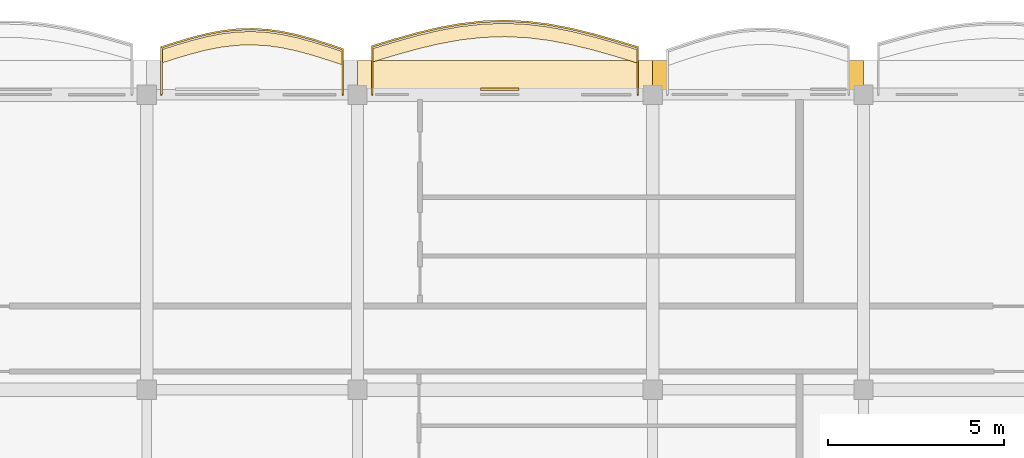
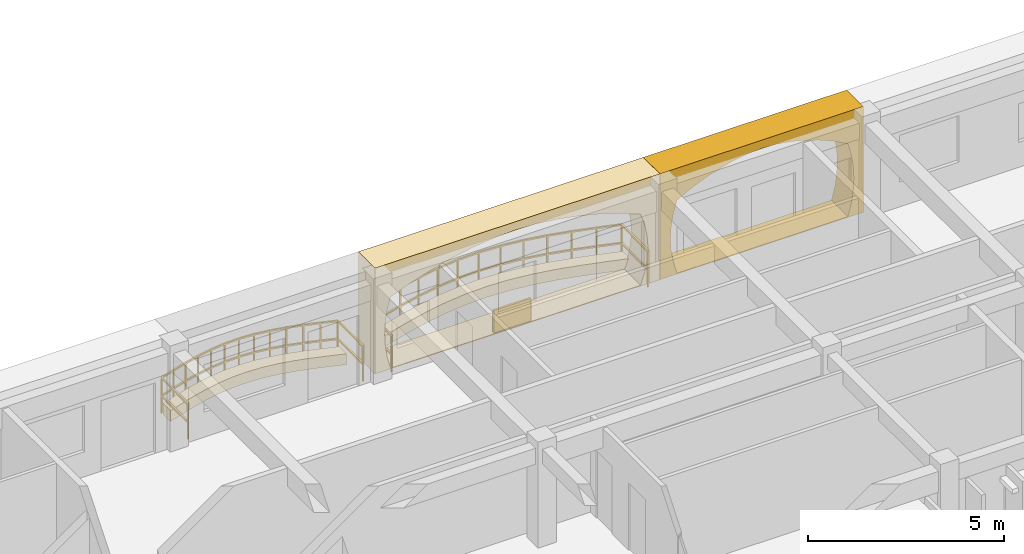
# One storey, part 49 of 54: 5 coverings, 2 railings.
"""IFC4 building model written with IfcOpenShell, lengths in metres."""

from ifc_helpers import new_model, si_unit, direction, frame, origin, origin_2d, place, context, subcontext, project, spatial, polyline, rectangle, outline, extrude, material, layer, layer_set, type_object, element, save


model = new_model("IFC4")

# Units and contexts
model_context = context("Model", 3, precision=1e-05, world=origin(), true_north=direction((0.0, 1.0)))
body_context = subcontext(model_context, "Body", "Model", "MODEL_VIEW")
ifc_project = project(units=[si_unit("LENGTHUNIT", "METRE"), si_unit("AREAUNIT", "SQUARE_METRE"), si_unit("VOLUMEUNIT", "CUBIC_METRE"), si_unit("PLANEANGLEUNIT", "RADIAN"), si_unit("MASSUNIT", "GRAM", prefix="KILO"), si_unit("THERMODYNAMICTEMPERATUREUNIT", "KELVIN")], contexts=[model_context])

# Site, building, storey
site_placement = place(None, origin())
site = spatial("IfcSite", under=ifc_project, at=site_placement, CompositionType="ELEMENT")
building_placement = place(site_placement, origin())
building = spatial("IfcBuilding", under=site, at=building_placement, Name="Thalorik Housing Commons", CompositionType="ELEMENT")
storey_placement = place(building_placement, frame((0.0, 0.0, 31.199951171875)))
storey = spatial("IfcBuildingStorey", under=building, at=storey_placement, Name="L09", CompositionType="ELEMENT", Elevation=31.199951171875)

# Coverings
ifc_material_1 = material(Name="Cobalt blue glazed ceramic facade tile panel", Category="masonry")
ifc_layer_1 = layer(ifc_material_1, 0.06005859375, Name="Cobalt blue glazed ceramic facade tile panel", Category="masonry")
ifc_layer_set_1 = layer_set([ifc_layer_1], Name="Cobalt blue glazed ceramic facade tile panel")
covering_type_1 = type_object("IfcCoveringType", Name="ARC-CLD-BLU-60", PredefinedType="CLADDING", material=ifc_layer_set_1)
covering_1_placement = place(storey_placement, frame((119.25341796875, 123.75244140625, 0.05029296875), z_axis=(0.0, 0.0, 1.0), x_axis=(-1.0, 0.0, 0.0)))
element("IfcCovering", 1, at=covering_1_placement, inside=storey, type_object=covering_type_1, Name="L09 De Stijl Recessed Window Spandrel 2901", PredefinedType="CLADDING", context=body_context, shape_type="SweptSolid", body=[
    extrude(rectangle(XDim=1.10009765625, YDim=0.06005859375, at=origin_2d()), origin(), (0.0, 0.0, 1.0), 0.699951171875),
])
ifc_material_2 = material(Name="Precast concrete C40/50", Category="concrete")
ifc_layer_2 = layer(ifc_material_2, 0.85009765625, Name="Precast concrete C40/50", Category="concrete")
ifc_layer_set_2 = layer_set([ifc_layer_2], Name="Precast concrete C40/50")
covering_type_2 = type_object("IfcCoveringType", Name="ARC-CLD-CUSH-850", PredefinedType="CLADDING", material=ifc_layer_set_2)
covering_2_placement = place(storey_placement, frame((126.60009765625, 124.142578125, 0.0), z_axis=(0.0, 0.0, 1.0), x_axis=(-1.0, 0.0, 0.0)))
element("IfcCovering", 2, at=covering_2_placement, inside=storey, type_object=covering_type_2, Name="L09 White Precast Curved Cushion Bay Frame 2898", PredefinedType="CLADDING", context=body_context, shape_type="SweptSolid", body=[
    extrude(outline(polyline([(-3.0, 0.0), (3.0, 0.0), (3.0, 3.300048828125), (-3.0, 3.300048828125), (-3.0, 0.0)]), holes=[polyline([(2.4951171875, 0.02490234375), (2.6015625, 0.404296875), (2.66552734375, 0.783203125), (2.68701171875, 1.16259765625), (2.66552734375, 1.541748046875), (2.6015625, 1.9208984375), (2.4951171875, 2.300048828125), (2.074951171875, 2.525390625), (1.655029296875, 2.7021484375), (1.235107421875, 2.845458984375), (0.81494140625, 2.951904296875), (0.39501953125, 3.017822265625), (-0.02490234375, 3.0400390625), (-0.445068359375, 3.017822265625), (-0.864990234375, 2.951904296875), (-1.284912109375, 2.845458984375), (-1.705078125, 2.7021484375), (-2.125, 2.525390625), (-2.544921875, 2.300048828125), (-2.64111328125, 1.9208984375), (-2.69873046875, 1.541748046875), (-2.718017578125, 1.16259765625), (-2.69873046875, 0.783203125), (-2.64111328125, 0.404296875), (-2.544921875, 0.02490234375), (2.4951171875, 0.02490234375)])]), frame((0.0, 0.425048828125, 0.0), z_axis=(0.0, -1.0, 0.0), x_axis=(1.0, 0.0, 0.0)), (0.0, 0.0, 1.0), 0.85009765625),
])
covering_3_placement = place(storey_placement, frame((119.39990234375, 124.142578125, 0.0), z_axis=(0.0, 0.0, 1.0), x_axis=(-1.0, 0.0, 0.0)))
element("IfcCovering", 3, at=covering_3_placement, inside=storey, type_object=covering_type_2, Name="L09 White Precast Curved Cushion Bay Frame 2900", PredefinedType="CLADDING", context=body_context, shape_type="SweptSolid", body=[
    extrude(outline(polyline([(-4.199951171875, 0.0), (4.199951171875, 0.0), (4.199951171875, 3.300048828125), (-4.199951171875, 3.300048828125), (-4.199951171875, 0.0)]), holes=[polyline([(3.74169921875, 0.02490234375), (3.83837890625, 0.394287109375), (3.896484375, 0.76318359375), (3.915771484375, 1.132568359375), (3.896484375, 1.501708984375), (3.83837890625, 1.870849609375), (3.74169921875, 2.239990234375), (3.127197265625, 2.4833984375), (2.512939453125, 2.6748046875), (1.898681640625, 2.82958984375), (1.284423828125, 2.94482421875), (0.670166015625, 3.01611328125), (0.055908203125, 3.0400390625), (-0.55859375, 3.01611328125), (-1.1728515625, 2.94482421875), (-1.787109375, 2.82958984375), (-2.4013671875, 2.6748046875), (-3.015625, 2.4833984375), (-3.6298828125, 2.239990234375), (-3.750244140625, 1.870849609375), (-3.822509765625, 1.501708984375), (-3.8466796875, 1.132568359375), (-3.822509765625, 0.76318359375), (-3.750244140625, 0.394287109375), (-3.6298828125, 0.02490234375), (3.74169921875, 0.02490234375)])]), frame((0.0, 0.425048828125, 0.0), z_axis=(0.0, -1.0, 0.0), x_axis=(1.0, 0.0, 0.0)), (0.0, 0.0, 1.0), 0.85009765625),
])
ifc_material_3 = material(Name="Planted vegetated substrate and terracotta trough", Category="masonry")
ifc_layer_3 = layer(ifc_material_3, 0.340087890625, Name="Planted vegetated substrate and terracotta trough", Category="masonry")
ifc_layer_set_3 = layer_set([ifc_layer_3], Name="Planted vegetated substrate and terracotta trough")
covering_type_3 = type_object("IfcCoveringType", Name="ARC-COV-PLANTER", PredefinedType="USERDEFINED", material=ifc_layer_set_3)
covering_4_placement = place(storey_placement, origin())
element("IfcCovering", 4, at=covering_4_placement, inside=storey, type_object=covering_type_3, Name="L09 Balcony Slab-Edge Planted Trough 5530", ObjectType="PLANTER", PredefinedType="USERDEFINED", context=body_context, shape_type="SweptSolid", body=[
    extrude(outline(polyline([(114.780029296875, 124.82177734375), (114.35009765625, 124.964599609375), (113.919921875, 125.099853515625), (113.489990234375, 125.218017578125), (113.06005859375, 125.310791015625), (112.6298828125, 125.37158203125), (112.199951171875, 125.39599609375), (111.77001953125, 125.383056640625), (111.340087890625, 125.333251953125), (110.909912109375, 125.2509765625), (110.47998046875, 125.141845703125), (110.050048828125, 125.014404296875), (109.6201171875, 124.877197265625), (109.6201171875, 124.497314453125), (110.050048828125, 124.63427734375), (110.47998046875, 124.761962890625), (110.909912109375, 124.87109375), (111.340087890625, 124.953369140625), (111.77001953125, 125.0029296875), (112.199951171875, 125.01611328125), (112.6298828125, 124.991455078125), (113.06005859375, 124.930908203125), (113.489990234375, 124.838134765625), (113.919921875, 124.719970703125), (114.35009765625, 124.584716796875), (114.780029296875, 124.441650390625), (114.780029296875, 124.82177734375)])), origin(), (0.0, 0.0, 1.0), 0.340087890625),
])
covering_5_placement = place(storey_placement, origin())
element("IfcCovering", 5, at=covering_5_placement, inside=storey, type_object=covering_type_3, Name="L09 Balcony Slab-Edge Planted Trough 5531", ObjectType="PLANTER", PredefinedType="USERDEFINED", context=body_context, shape_type="SweptSolid", body=[
    extrude(outline(polyline([(123.179931640625, 124.874267578125), (122.550048828125, 125.065185546875), (121.919921875, 125.24462890625), (121.2900390625, 125.400390625), (120.659912109375, 125.521484375), (120.030029296875, 125.599609375), (119.39990234375, 125.62890625), (118.77001953125, 125.60791015625), (118.139892578125, 125.53759765625), (117.510009765625, 125.423095703125), (116.8798828125, 125.2724609375), (116.25, 125.095703125), (115.6201171875, 124.9052734375), (115.6201171875, 124.525146484375), (116.25, 124.715576171875), (116.8798828125, 124.892333984375), (117.510009765625, 125.043212890625), (118.139892578125, 125.15771484375), (118.77001953125, 125.227783203125), (119.39990234375, 125.2490234375), (120.030029296875, 125.219482421875), (120.659912109375, 125.1416015625), (121.2900390625, 125.0205078125), (121.919921875, 124.86474609375), (122.550048828125, 124.685302734375), (123.179931640625, 124.494384765625), (123.179931640625, 124.874267578125)])), origin(), (0.0, 0.0, 1.0), 0.340087890625),
])

# Railings
ifc_material_4 = material(Name="Steel S355", Category="steel")
railing_type_1 = type_object("IfcRailingType", Name="ARC-RL-BAL-112", PredefinedType="BALUSTRADE", material=ifc_material_4)
railing_1_placement = place(storey_placement, frame((114.780029296875, 123.60009765625, 0.0)))
element("IfcRailing", 6, at=railing_1_placement, inside=storey, type_object=railing_type_1, Name="L09 Cushion Balcony Guardrail 214", PredefinedType="BALUSTRADE", context=body_context, shape_type="SweptSolid", body=[
    extrude(rectangle(XDim=0.050048828125, YDim=0.050048828125, at=origin_2d()), frame((0.0, 0.0, 1.09521484375), z_axis=(0.0, 1.0, 0.0), x_axis=(-1.0, 0.0, 0.0)), (0.0, 0.0, 1.0), 1.29150390625),
    extrude(rectangle(XDim=0.050048828125, YDim=0.050048828125, at=origin_2d()), frame((0.0, 0.0, 0.53515625), z_axis=(0.0, 1.0, 0.0), x_axis=(-1.0, 0.0, 0.0)), (0.0, 0.0, 1.0), 1.29150390625),
    extrude(rectangle(XDim=0.050048828125, YDim=0.050048828125, at=origin_2d()), frame((0.0, 1.29150390625, 1.09521484375), z_axis=(-0.948844817182, 0.315742795496, 0.0), x_axis=(-0.315742795496, -0.948844817182, 0.0)), (0.0, 0.0, 1.0), 0.453125),
    extrude(rectangle(XDim=0.050048828125, YDim=0.050048828125, at=origin_2d()), frame((0.0, 1.29150390625, 0.53515625), z_axis=(-0.948844817182, 0.315742795496, 0.0), x_axis=(-0.315742795496, -0.948844817182, 0.0)), (0.0, 0.0, 1.0), 0.453125),
    extrude(rectangle(XDim=0.050048828125, YDim=0.050048828125, at=origin_2d()), frame((-0.429931640625, 1.4345703125, 1.09521484375), z_axis=(-0.953958313689, 0.299939220082, 0.0), x_axis=(-0.299939220082, -0.953958313689, 0.0)), (0.0, 0.0, 1.0), 0.450927734375),
    extrude(rectangle(XDim=0.050048828125, YDim=0.050048828125, at=origin_2d()), frame((-0.429931640625, 1.4345703125, 0.53515625), z_axis=(-0.953958313689, 0.299939220082, 0.0), x_axis=(-0.299939220082, -0.953958313689, 0.0)), (0.0, 0.0, 1.0), 0.450927734375),
    extrude(rectangle(XDim=0.050048828125, YDim=0.050048828125, at=origin_2d()), frame((-0.860107421875, 1.56982421875, 1.09521484375), z_axis=(-0.964243880098, 0.265016489476, 0.0), x_axis=(-0.265016489476, -0.964243880098, 0.0)), (0.0, 0.0, 1.0), 0.44580078125),
    extrude(rectangle(XDim=0.050048828125, YDim=0.050048828125, at=origin_2d()), frame((-0.860107421875, 1.56982421875, 0.53515625), z_axis=(-0.964243880098, 0.265016489476, 0.0), x_axis=(-0.265016489476, -0.964243880098, 0.0)), (0.0, 0.0, 1.0), 0.44580078125),
    extrude(rectangle(XDim=0.050048828125, YDim=0.050048828125, at=origin_2d()), frame((-1.2900390625, 1.68798828125, 1.09521484375), z_axis=(-0.977500851063, 0.210931472688, 0.0), x_axis=(-0.210931472688, -0.977500851063, 0.0)), (0.0, 0.0, 1.0), 0.43994140625),
    extrude(rectangle(XDim=0.050048828125, YDim=0.050048828125, at=origin_2d()), frame((-1.2900390625, 1.68798828125, 0.53515625), z_axis=(-0.977500851063, 0.210931472688, 0.0), x_axis=(-0.210931472688, -0.977500851063, 0.0)), (0.0, 0.0, 1.0), 0.43994140625),
    extrude(rectangle(XDim=0.050048828125, YDim=0.050048828125, at=origin_2d()), frame((-1.719970703125, 1.78076171875, 1.09521484375), z_axis=(-0.990239618738, 0.139375383341, 0.0), x_axis=(-0.139375383341, -0.990239618738, 0.0)), (0.0, 0.0, 1.0), 0.434326171875),
    extrude(rectangle(XDim=0.050048828125, YDim=0.050048828125, at=origin_2d()), frame((-1.719970703125, 1.78076171875, 0.53515625), z_axis=(-0.990239618738, 0.139375383341, 0.0), x_axis=(-0.139375383341, -0.990239618738, 0.0)), (0.0, 0.0, 1.0), 0.434326171875),
    extrude(rectangle(XDim=0.050048828125, YDim=0.050048828125, at=origin_2d()), frame((-2.150146484375, 1.84130859375, 1.09521484375), z_axis=(-0.998359318778, 0.057259677, 0.0), x_axis=(-0.057259677, -0.998359318778, 0.0)), (0.0, 0.0, 1.0), 0.4306640625),
    extrude(rectangle(XDim=0.050048828125, YDim=0.050048828125, at=origin_2d()), frame((-2.150146484375, 1.84130859375, 0.53515625), z_axis=(-0.998359318778, 0.057259677, 0.0), x_axis=(-0.057259677, -0.998359318778, 0.0)), (0.0, 0.0, 1.0), 0.4306640625),
    extrude(rectangle(XDim=0.050048828125, YDim=0.050048828125, at=origin_2d()), frame((-2.580078125, 1.865966796875, 1.09521484375), z_axis=(-0.999530178738, -0.030649988445, 0.0), x_axis=(0.030649988445, -0.999530178738, 0.0)), (0.0, 0.0, 1.0), 0.43017578125),
    extrude(rectangle(XDim=0.050048828125, YDim=0.050048828125, at=origin_2d()), frame((-2.580078125, 1.865966796875, 0.53515625), z_axis=(-0.999530178738, -0.030649988445, 0.0), x_axis=(0.030649988445, -0.999530178738, 0.0)), (0.0, 0.0, 1.0), 0.43017578125),
    extrude(rectangle(XDim=0.050048828125, YDim=0.050048828125, at=origin_2d()), frame((-3.010009765625, 1.852783203125, 1.09521484375), z_axis=(-0.993421283169, -0.114517047407, 0.0), x_axis=(0.114517047407, -0.993421283169, 0.0)), (0.0, 0.0, 1.0), 0.432861328125),
    extrude(rectangle(XDim=0.050048828125, YDim=0.050048828125, at=origin_2d()), frame((-3.010009765625, 1.852783203125, 0.53515625), z_axis=(-0.993421283169, -0.114517047407, 0.0), x_axis=(0.114517047407, -0.993421283169, 0.0)), (0.0, 0.0, 1.0), 0.432861328125),
    extrude(rectangle(XDim=0.050048828125, YDim=0.050048828125, at=origin_2d()), frame((-3.43994140625, 1.80322265625, 1.09521484375), z_axis=(-0.98219679274, -0.187854891688, 0.0), x_axis=(0.187854891688, -0.98219679274, 0.0)), (0.0, 0.0, 1.0), 0.43798828125),
    extrude(rectangle(XDim=0.050048828125, YDim=0.050048828125, at=origin_2d()), frame((-3.43994140625, 1.80322265625, 0.53515625), z_axis=(-0.98219679274, -0.187854891688, 0.0), x_axis=(0.187854891688, -0.98219679274, 0.0)), (0.0, 0.0, 1.0), 0.43798828125),
    extrude(rectangle(XDim=0.050048828125, YDim=0.050048828125, at=origin_2d()), frame((-3.8701171875, 1.720947265625, 1.09521484375), z_axis=(-0.969262026984, -0.246030735981, 0.0), x_axis=(0.246030735981, -0.969262026984, 0.0)), (0.0, 0.0, 1.0), 0.443603515625),
    extrude(rectangle(XDim=0.050048828125, YDim=0.050048828125, at=origin_2d()), frame((-3.8701171875, 1.720947265625, 0.53515625), z_axis=(-0.969262026984, -0.246030735981, 0.0), x_axis=(0.246030735981, -0.969262026984, 0.0)), (0.0, 0.0, 1.0), 0.443603515625),
    extrude(rectangle(XDim=0.050048828125, YDim=0.050048828125, at=origin_2d()), frame((-4.300048828125, 1.61181640625, 1.09521484375), z_axis=(-0.958616693349, -0.284699903817, 0.0), x_axis=(0.284699903817, -0.958616693349, 0.0)), (0.0, 0.0, 1.0), 0.448486328125),
    extrude(rectangle(XDim=0.050048828125, YDim=0.050048828125, at=origin_2d()), frame((-4.300048828125, 1.61181640625, 0.53515625), z_axis=(-0.958616693349, -0.284699903817, 0.0), x_axis=(0.284699903817, -0.958616693349, 0.0)), (0.0, 0.0, 1.0), 0.448486328125),
    extrude(rectangle(XDim=0.050048828125, YDim=0.050048828125, at=origin_2d()), frame((-4.72998046875, 1.484130859375, 1.09521484375), z_axis=(-0.952819131931, -0.30353863317, 0.0), x_axis=(0.30353863317, -0.952819131931, 0.0)), (0.0, 0.0, 1.0), 0.451171875),
    extrude(rectangle(XDim=0.050048828125, YDim=0.050048828125, at=origin_2d()), frame((-4.72998046875, 1.484130859375, 0.53515625), z_axis=(-0.952819131931, -0.30353863317, 0.0), x_axis=(0.30353863317, -0.952819131931, 0.0)), (0.0, 0.0, 1.0), 0.451171875),
    extrude(rectangle(XDim=0.050048828125, YDim=0.050048828125, at=origin_2d()), frame((-5.159912109375, 1.34716796875, 1.09521484375), z_axis=(0.0, -1.0, 0.0), x_axis=(1.0, 0.0, 0.0)), (0.0, 0.0, 1.0), 1.34716796875),
    extrude(rectangle(XDim=0.050048828125, YDim=0.050048828125, at=origin_2d()), frame((-5.159912109375, 1.34716796875, 0.53515625), z_axis=(0.0, -1.0, 0.0), x_axis=(1.0, 0.0, 0.0)), (0.0, 0.0, 1.0), 1.34716796875),
    extrude(rectangle(XDim=0.0419921875, YDim=0.0419921875, at=origin_2d()), origin(), (0.0, 0.0, 1.0), 1.070068359375),
    extrude(rectangle(XDim=0.0419921875, YDim=0.0419921875, at=origin_2d()), frame((0.0, 1.29150390625, 0.0)), (0.0, 0.0, 1.0), 1.070068359375),
    extrude(rectangle(XDim=0.0419921875, YDim=0.0419921875, at=origin_2d()), frame((-0.429931640625, 1.4345703125, 0.0)), (0.0, 0.0, 1.0), 1.070068359375),
    extrude(rectangle(XDim=0.0419921875, YDim=0.0419921875, at=origin_2d()), frame((-0.860107421875, 1.56982421875, 0.0)), (0.0, 0.0, 1.0), 1.070068359375),
    extrude(rectangle(XDim=0.0419921875, YDim=0.0419921875, at=origin_2d()), frame((-1.2900390625, 1.68798828125, 0.0)), (0.0, 0.0, 1.0), 1.070068359375),
    extrude(rectangle(XDim=0.0419921875, YDim=0.0419921875, at=origin_2d()), frame((-1.719970703125, 1.78076171875, 0.0)), (0.0, 0.0, 1.0), 1.070068359375),
    extrude(rectangle(XDim=0.0419921875, YDim=0.0419921875, at=origin_2d()), frame((-2.150146484375, 1.84130859375, 0.0)), (0.0, 0.0, 1.0), 1.070068359375),
    extrude(rectangle(XDim=0.0419921875, YDim=0.0419921875, at=origin_2d()), frame((-2.580078125, 1.865966796875, 0.0)), (0.0, 0.0, 1.0), 1.070068359375),
    extrude(rectangle(XDim=0.0419921875, YDim=0.0419921875, at=origin_2d()), frame((-3.010009765625, 1.852783203125, 0.0)), (0.0, 0.0, 1.0), 1.070068359375),
    extrude(rectangle(XDim=0.0419921875, YDim=0.0419921875, at=origin_2d()), frame((-3.43994140625, 1.80322265625, 0.0)), (0.0, 0.0, 1.0), 1.070068359375),
    extrude(rectangle(XDim=0.0419921875, YDim=0.0419921875, at=origin_2d()), frame((-3.8701171875, 1.720947265625, 0.0)), (0.0, 0.0, 1.0), 1.070068359375),
    extrude(rectangle(XDim=0.0419921875, YDim=0.0419921875, at=origin_2d()), frame((-4.300048828125, 1.61181640625, 0.0)), (0.0, 0.0, 1.0), 1.070068359375),
    extrude(rectangle(XDim=0.0419921875, YDim=0.0419921875, at=origin_2d()), frame((-4.72998046875, 1.484130859375, 0.0)), (0.0, 0.0, 1.0), 1.070068359375),
    extrude(rectangle(XDim=0.0419921875, YDim=0.0419921875, at=origin_2d()), frame((-5.159912109375, 1.34716796875, 0.0)), (0.0, 0.0, 1.0), 1.070068359375),
    extrude(rectangle(XDim=0.0419921875, YDim=0.0419921875, at=origin_2d()), frame((-5.159912109375, 0.0, 0.0)), (0.0, 0.0, 1.0), 1.070068359375),
])
railing_type_2 = type_object("IfcRailingType", Name="ARC-RL-BAL-115", PredefinedType="BALUSTRADE", material=ifc_material_4)
railing_2_placement = place(storey_placement, frame((123.179931640625, 123.60009765625, 0.0)))
element("IfcRailing", 7, at=railing_2_placement, inside=storey, type_object=railing_type_2, Name="L09 Cushion Balcony Guardrail 215", PredefinedType="BALUSTRADE", context=body_context, shape_type="SweptSolid", body=[
    extrude(rectangle(XDim=0.050048828125, YDim=0.050048828125, at=origin_2d()), frame((0.0, 0.0, 1.125), z_axis=(0.0, 1.0, 0.0), x_axis=(-1.0, 0.0, 0.0)), (0.0, 0.0, 1.0), 1.34423828125),
    extrude(rectangle(XDim=0.050048828125, YDim=0.050048828125, at=origin_2d()), frame((0.0, 0.0, 0.5498046875), z_axis=(0.0, 1.0, 0.0), x_axis=(-1.0, 0.0, 0.0)), (0.0, 0.0, 1.0), 1.34423828125),
    extrude(rectangle(XDim=0.050048828125, YDim=0.050048828125, at=origin_2d()), frame((0.0, 1.34423828125, 1.125), z_axis=(-0.957005684235, 0.290069164756, 0.0), x_axis=(-0.290069164756, -0.957005684235, 0.0)), (0.0, 0.0, 1.0), 0.658203125),
    extrude(rectangle(XDim=0.050048828125, YDim=0.050048828125, at=origin_2d()), frame((0.0, 1.34423828125, 0.5498046875), z_axis=(-0.957005684235, 0.290069164756, 0.0), x_axis=(-0.290069164756, -0.957005684235, 0.0)), (0.0, 0.0, 1.0), 0.658203125),
    extrude(rectangle(XDim=0.050048828125, YDim=0.050048828125, at=origin_2d()), frame((-0.6298828125, 1.53515625, 1.125), z_axis=(-0.961762630436, 0.273884360081, 0.0), x_axis=(-0.273884360081, -0.961762630436, 0.0)), (0.0, 0.0, 1.0), 0.6552734375),
    extrude(rectangle(XDim=0.050048828125, YDim=0.050048828125, at=origin_2d()), frame((-0.6298828125, 1.53515625, 0.5498046875), z_axis=(-0.961762630436, 0.273884360081, 0.0), x_axis=(-0.273884360081, -0.961762630436, 0.0)), (0.0, 0.0, 1.0), 0.6552734375),
    extrude(rectangle(XDim=0.050048828125, YDim=0.050048828125, at=origin_2d()), frame((-1.260009765625, 1.714599609375, 1.125), z_axis=(-0.970759060708, 0.240055922764, 0.0), x_axis=(-0.240055922764, -0.970759060708, 0.0)), (0.0, 0.0, 1.0), 0.64892578125),
    extrude(rectangle(XDim=0.050048828125, YDim=0.050048828125, at=origin_2d()), frame((-1.260009765625, 1.714599609375, 0.5498046875), z_axis=(-0.970759060708, 0.240055922764, 0.0), x_axis=(-0.240055922764, -0.970759060708, 0.0)), (0.0, 0.0, 1.0), 0.64892578125),
    extrude(rectangle(XDim=0.050048828125, YDim=0.050048828125, at=origin_2d()), frame((-1.889892578125, 1.870361328125, 1.125), z_axis=(-0.982030863602, 0.188720382932, 0.0), x_axis=(-0.188720382932, -0.982030863602, 0.0)), (0.0, 0.0, 1.0), 0.6416015625),
    extrude(rectangle(XDim=0.050048828125, YDim=0.050048828125, at=origin_2d()), frame((-1.889892578125, 1.870361328125, 0.5498046875), z_axis=(-0.982030863602, 0.188720382932, 0.0), x_axis=(-0.188720382932, -0.982030863602, 0.0)), (0.0, 0.0, 1.0), 0.6416015625),
    extrude(rectangle(XDim=0.050048828125, YDim=0.050048828125, at=origin_2d()), frame((-2.52001953125, 1.991455078125, 1.125), z_axis=(-0.99244269425, 0.122708999793, 0.0), x_axis=(-0.122708999793, -0.99244269425, 0.0)), (0.0, 0.0, 1.0), 0.634765625),
    extrude(rectangle(XDim=0.050048828125, YDim=0.050048828125, at=origin_2d()), frame((-2.52001953125, 1.991455078125, 0.5498046875), z_axis=(-0.99244269425, 0.122708999793, 0.0), x_axis=(-0.122708999793, -0.99244269425, 0.0)), (0.0, 0.0, 1.0), 0.634765625),
    extrude(rectangle(XDim=0.050048828125, YDim=0.050048828125, at=origin_2d()), frame((-3.14990234375, 2.0693359375, 1.125), z_axis=(-0.99890289151, 0.046829620253, 0.0), x_axis=(-0.046829620253, -0.99890289151, 0.0)), (0.0, 0.0, 1.0), 0.630859375),
    extrude(rectangle(XDim=0.050048828125, YDim=0.050048828125, at=origin_2d()), frame((-3.14990234375, 2.0693359375, 0.5498046875), z_axis=(-0.99890289151, 0.046829620253, 0.0), x_axis=(-0.046829620253, -0.99890289151, 0.0)), (0.0, 0.0, 1.0), 0.630859375),
    extrude(rectangle(XDim=0.050048828125, YDim=0.050048828125, at=origin_2d()), frame((-3.780029296875, 2.098876953125, 1.125), z_axis=(-0.999444906979, -0.033314830233, 0.0), x_axis=(0.033314830233, -0.999444906979, 0.0)), (0.0, 0.0, 1.0), 0.630126953125),
    extrude(rectangle(XDim=0.050048828125, YDim=0.050048828125, at=origin_2d()), frame((-3.780029296875, 2.098876953125, 0.5498046875), z_axis=(-0.999444906979, -0.033314830233, 0.0), x_axis=(0.033314830233, -0.999444906979, 0.0)), (0.0, 0.0, 1.0), 0.630126953125),
    extrude(rectangle(XDim=0.050048828125, YDim=0.050048828125, at=origin_2d()), frame((-4.409912109375, 2.077880859375, 1.125), z_axis=(-0.993831971969, -0.110896399817, 0.0), x_axis=(0.110896399817, -0.993831971969, 0.0)), (0.0, 0.0, 1.0), 0.634033203125),
    extrude(rectangle(XDim=0.050048828125, YDim=0.050048828125, at=origin_2d()), frame((-4.409912109375, 2.077880859375, 0.5498046875), z_axis=(-0.993831971969, -0.110896399817, 0.0), x_axis=(0.110896399817, -0.993831971969, 0.0)), (0.0, 0.0, 1.0), 0.634033203125),
    extrude(rectangle(XDim=0.050048828125, YDim=0.050048828125, at=origin_2d()), frame((-5.0400390625, 2.007568359375, 1.125), z_axis=(-0.983876011084, -0.178851879534, 0.0), x_axis=(0.178851879534, -0.983876011084, 0.0)), (0.0, 0.0, 1.0), 0.64013671875),
    extrude(rectangle(XDim=0.050048828125, YDim=0.050048828125, at=origin_2d()), frame((-5.0400390625, 2.007568359375, 0.5498046875), z_axis=(-0.983876011084, -0.178851879534, 0.0), x_axis=(0.178851879534, -0.983876011084, 0.0)), (0.0, 0.0, 1.0), 0.64013671875),
    extrude(rectangle(XDim=0.050048828125, YDim=0.050048828125, at=origin_2d()), frame((-5.669921875, 1.89306640625, 1.125), z_axis=(-0.972510295114, -0.232859884688, 0.0), x_axis=(0.232859884688, -0.972510295114, 0.0)), (0.0, 0.0, 1.0), 0.64794921875),
    extrude(rectangle(XDim=0.050048828125, YDim=0.050048828125, at=origin_2d()), frame((-5.669921875, 1.89306640625, 0.5498046875), z_axis=(-0.972510295114, -0.232859884688, 0.0), x_axis=(0.232859884688, -0.972510295114, 0.0)), (0.0, 0.0, 1.0), 0.64794921875),
    extrude(rectangle(XDim=0.050048828125, YDim=0.050048828125, at=origin_2d()), frame((-6.300048828125, 1.7421875, 1.125), z_axis=(-0.962808829557, -0.270183563023, 0.0), x_axis=(0.270183563023, -0.962808829557, 0.0)), (0.0, 0.0, 1.0), 0.654296875),
    extrude(rectangle(XDim=0.050048828125, YDim=0.050048828125, at=origin_2d()), frame((-6.300048828125, 1.7421875, 0.5498046875), z_axis=(-0.962808829557, -0.270183563023, 0.0), x_axis=(0.270183563023, -0.962808829557, 0.0)), (0.0, 0.0, 1.0), 0.654296875),
    extrude(rectangle(XDim=0.050048828125, YDim=0.050048828125, at=origin_2d()), frame((-6.929931640625, 1.5654296875, 1.125), z_axis=(-0.957211427299, -0.289389501276, 0.0), x_axis=(0.289389501276, -0.957211427299, 0.0)), (0.0, 0.0, 1.0), 0.657958984375),
    extrude(rectangle(XDim=0.050048828125, YDim=0.050048828125, at=origin_2d()), frame((-6.929931640625, 1.5654296875, 0.5498046875), z_axis=(-0.957211427299, -0.289389501276, 0.0), x_axis=(0.289389501276, -0.957211427299, 0.0)), (0.0, 0.0, 1.0), 0.657958984375),
    extrude(rectangle(XDim=0.050048828125, YDim=0.050048828125, at=origin_2d()), frame((-7.559814453125, 1.375, 1.125), z_axis=(0.0, -1.0, 0.0), x_axis=(1.0, 0.0, 0.0)), (0.0, 0.0, 1.0), 1.375),
    extrude(rectangle(XDim=0.050048828125, YDim=0.050048828125, at=origin_2d()), frame((-7.559814453125, 1.375, 0.5498046875), z_axis=(0.0, -1.0, 0.0), x_axis=(1.0, 0.0, 0.0)), (0.0, 0.0, 1.0), 1.375),
    extrude(rectangle(XDim=0.0419921875, YDim=0.0419921875, at=origin_2d()), origin(), (0.0, 0.0, 1.0), 1.099853515625),
    extrude(rectangle(XDim=0.0419921875, YDim=0.0419921875, at=origin_2d()), frame((0.0, 1.34423828125, 0.0)), (0.0, 0.0, 1.0), 1.099853515625),
    extrude(rectangle(XDim=0.0419921875, YDim=0.0419921875, at=origin_2d()), frame((-0.6298828125, 1.53515625, 0.0)), (0.0, 0.0, 1.0), 1.099853515625),
    extrude(rectangle(XDim=0.0419921875, YDim=0.0419921875, at=origin_2d()), frame((-1.260009765625, 1.714599609375, 0.0)), (0.0, 0.0, 1.0), 1.099853515625),
    extrude(rectangle(XDim=0.0419921875, YDim=0.0419921875, at=origin_2d()), frame((-1.889892578125, 1.870361328125, 0.0)), (0.0, 0.0, 1.0), 1.099853515625),
    extrude(rectangle(XDim=0.0419921875, YDim=0.0419921875, at=origin_2d()), frame((-2.52001953125, 1.991455078125, 0.0)), (0.0, 0.0, 1.0), 1.099853515625),
    extrude(rectangle(XDim=0.0419921875, YDim=0.0419921875, at=origin_2d()), frame((-3.14990234375, 2.0693359375, 0.0)), (0.0, 0.0, 1.0), 1.099853515625),
    extrude(rectangle(XDim=0.0419921875, YDim=0.0419921875, at=origin_2d()), frame((-3.780029296875, 2.098876953125, 0.0)), (0.0, 0.0, 1.0), 1.099853515625),
    extrude(rectangle(XDim=0.0419921875, YDim=0.0419921875, at=origin_2d()), frame((-4.409912109375, 2.077880859375, 0.0)), (0.0, 0.0, 1.0), 1.099853515625),
    extrude(rectangle(XDim=0.0419921875, YDim=0.0419921875, at=origin_2d()), frame((-5.0400390625, 2.007568359375, 0.0)), (0.0, 0.0, 1.0), 1.099853515625),
    extrude(rectangle(XDim=0.0419921875, YDim=0.0419921875, at=origin_2d()), frame((-5.669921875, 1.89306640625, 0.0)), (0.0, 0.0, 1.0), 1.099853515625),
    extrude(rectangle(XDim=0.0419921875, YDim=0.0419921875, at=origin_2d()), frame((-6.300048828125, 1.7421875, 0.0)), (0.0, 0.0, 1.0), 1.099853515625),
    extrude(rectangle(XDim=0.0419921875, YDim=0.0419921875, at=origin_2d()), frame((-6.929931640625, 1.5654296875, 0.0)), (0.0, 0.0, 1.0), 1.099853515625),
    extrude(rectangle(XDim=0.0419921875, YDim=0.0419921875, at=origin_2d()), frame((-7.559814453125, 1.375, 0.0)), (0.0, 0.0, 1.0), 1.099853515625),
    extrude(rectangle(XDim=0.0419921875, YDim=0.0419921875, at=origin_2d()), frame((-7.559814453125, 0.0, 0.0)), (0.0, 0.0, 1.0), 1.099853515625),
])

save(model, "model.ifc")
